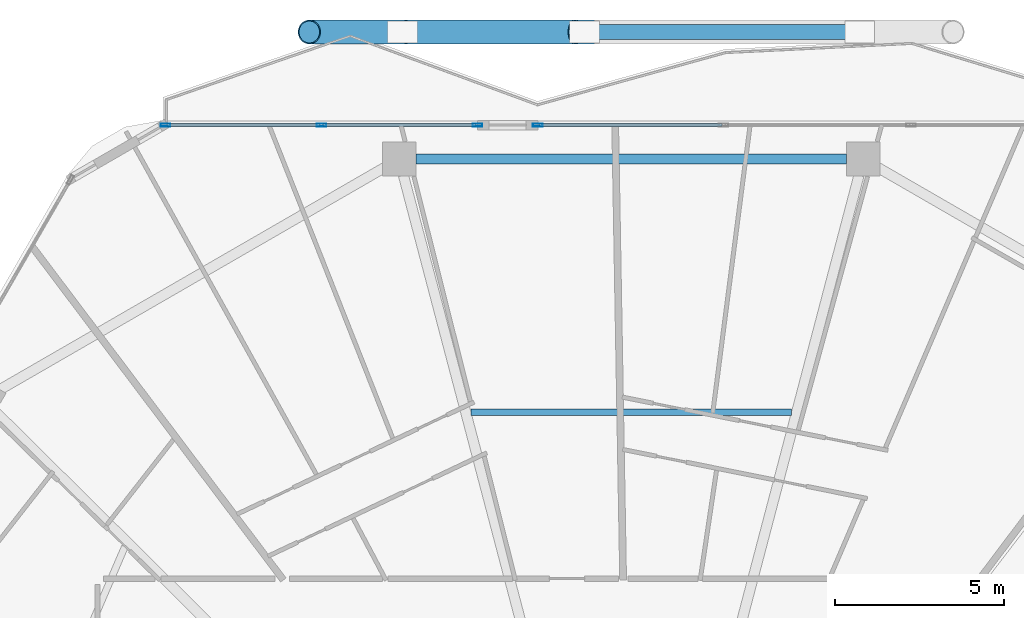
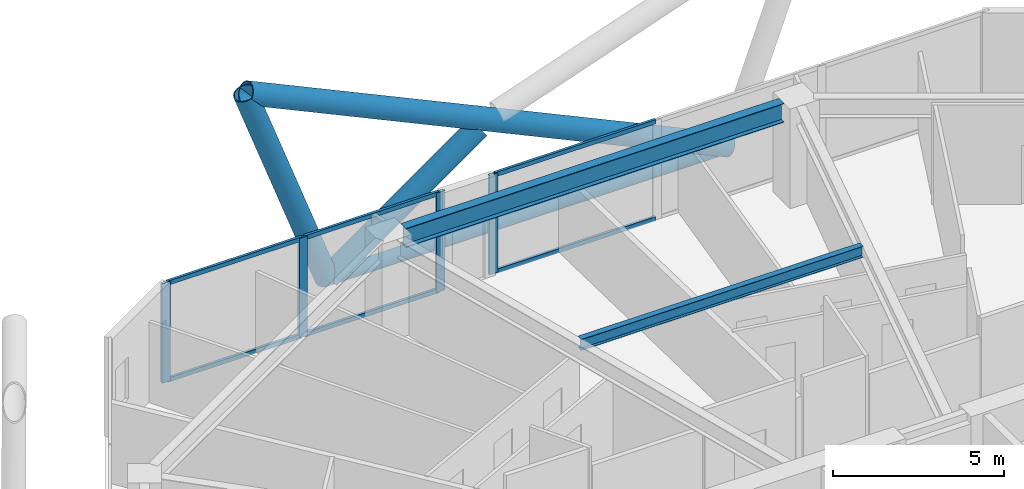
# One storey, part 15 of 29: 14 members, 2 beams, 2 elements without a shape of their own.
"""IFC4 building model written with IfcOpenShell, lengths in metres."""

import ifcopenshell
import ifcopenshell.guid

model = None  # the IFC model being written
_history = None  # IfcOwnerHistory: only IFC2X3 demands one
_inside = {}  # id of a spatial element -> (the spatial element, [elements in it])
_under = {}  # id of a project, library or spatial element -> (it, [spatial elements below it])
_declared = {}  # id of a project -> (the project, [libraries it declares])
_typed = {}  # id of a type object -> (the type object, [elements of that type])
_made_of = {}  # id of a material, layer set ... -> (it, [elements and type objects made of it])


def new_model(schema):
    """Start an empty IFC model of exactly this schema.

    Asked for "IFC4X3", IfcOpenShell would pick the latest addendum, in which some entities
    have other attributes; the version numbers below select the first issue.
    IFC2X3 requires an IfcOwnerHistory on every rooted entity: one is made here for all.
    """
    global model, _history
    if schema == "IFC4X3":
        model = ifcopenshell.file(schema_version=(4, 3, 0, 0))
    else:
        model = ifcopenshell.file(schema=schema)
    _inside.clear()
    _under.clear()
    _declared.clear()
    _typed.clear()
    _made_of.clear()
    _history = None
    if model.schema == "IFC2X3":
        org = make("IfcOrganization", Name="unknown")
        user = make(
            "IfcPersonAndOrganization",
            ThePerson=make("IfcPerson", FamilyName="unknown"),
            TheOrganization=org,
        )
        app = make(
            "IfcApplication",
            ApplicationDeveloper=org,
            Version="unknown",
            ApplicationFullName="unknown",
            ApplicationIdentifier="unknown",
        )
        _history = make(
            "IfcOwnerHistory",
            OwningUser=user,
            OwningApplication=app,
            ChangeAction="ADDED",
            CreationDate=0,
        )
    return model


def make(cls, **values):
    """One entity of the class cls with the attributes given. An attribute that is None is left unset."""
    return model.create_entity(
        cls, **{name: value for name, value in values.items() if value is not None}
    )


def rooted(cls, **values):
    """An entity with a GlobalId (a new one), such as an element, a storey or a relation."""
    return make(cls, GlobalId=ifcopenshell.guid.new(), OwnerHistory=_history, **values)


def si_unit(unit_type, name, prefix=None):
    """IfcSIUnit, for example si_unit("LENGTHUNIT", "METRE", prefix="MILLI")."""
    return make("IfcSIUnit", UnitType=unit_type, Prefix=prefix, Name=name)


def assignment(units):
    """IfcUnitAssignment: the units of a project."""
    return None if units is None else make("IfcUnitAssignment", Units=units)


def point(xyz):
    """IfcCartesianPoint."""
    return None if xyz is None else make("IfcCartesianPoint", Coordinates=xyz)


def direction(xyz):
    """IfcDirection."""
    return None if xyz is None else make("IfcDirection", DirectionRatios=xyz)


def frame(location, z_axis=None, x_axis=None):
    """IfcAxis2Placement3D, a coordinate frame: its origin and axes. An axis left out is left unset."""
    return make(
        "IfcAxis2Placement3D",
        Location=point(location),
        Axis=direction(z_axis),
        RefDirection=direction(x_axis),
    )


def frame_2d(location, x_axis=None):
    """IfcAxis2Placement2D, a coordinate frame in the plane: its origin and x axis."""
    return make(
        "IfcAxis2Placement2D", Location=point(location), RefDirection=direction(x_axis)
    )


def origin():
    """The frame at (0, 0, 0) with its axes left unset."""
    return frame((0.0, 0.0, 0.0))


def origin_2d():
    """The frame at (0, 0) in the plane with its x axis left unset."""
    return frame_2d((0.0, 0.0))


def place(relative_to, where):
    """IfcLocalPlacement: puts the frame where relative to a parent placement (None: the world)."""
    return make(
        "IfcLocalPlacement", PlacementRelTo=relative_to, RelativePlacement=where
    )


def context(
    kind, dimensions, precision=None, world=None, true_north=None, identifier=None
):
    """IfcGeometricRepresentationContext, for example the 3D "Model" context."""
    return make(
        "IfcGeometricRepresentationContext",
        ContextIdentifier=identifier,
        ContextType=kind,
        CoordinateSpaceDimension=dimensions,
        Precision=precision,
        WorldCoordinateSystem=world,
        TrueNorth=true_north,
    )


def subcontext(parent, identifier, kind, view, scale=None):
    """IfcGeometricRepresentationSubContext, for example "Body" below "Model"."""
    return make(
        "IfcGeometricRepresentationSubContext",
        ContextIdentifier=identifier,
        ContextType=kind,
        ParentContext=parent,
        TargetScale=scale,
        TargetView=view,
    )


def project(units=None, contexts=None):
    """IfcProject with its units and contexts."""
    return rooted(
        "IfcProject",
        Name="project",
        RepresentationContexts=contexts,
        UnitsInContext=assignment(units),
    )


def spatial(cls, under=None, at=None, **own):
    """A site, building, storey or space (cls), placed at a placement, below another one or the project."""
    s = rooted(cls, ObjectPlacement=at, **own)
    if under is not None:
        _under.setdefault(under.id(), (under, []))[1].append(s)
    return s


def profile(cls, at=None, kind="AREA", **sizes):
    """A parametric profile (cls). Its sizes go by their IFC names, for example OverallWidth=200.0."""
    return make(cls, ProfileType=kind, Position=at, **sizes)


def hollow_rectangle(**sizes):
    """IfcRectangleHollowProfileDef."""
    return profile("IfcRectangleHollowProfileDef", **sizes)


def hollow_circle(**sizes):
    """IfcCircleHollowProfileDef."""
    return profile("IfcCircleHollowProfileDef", **sizes)


def i_section(**sizes):
    """IfcIShapeProfileDef."""
    return profile("IfcIShapeProfileDef", **sizes)


def extrude(swept, where, along, depth):
    """IfcExtrudedAreaSolid: the profile swept, set in the frame where, extruded along a direction by depth."""
    return make(
        "IfcExtrudedAreaSolid",
        SweptArea=swept,
        Position=where,
        ExtrudedDirection=direction(along),
        Depth=depth,
    )


def shape(context_of_items, identifier, shape_type, items):
    """IfcShapeRepresentation: the items that make up one representation, for example the "Body"."""
    return make(
        "IfcShapeRepresentation",
        ContextOfItems=context_of_items,
        RepresentationIdentifier=identifier,
        RepresentationType=shape_type,
        Items=items,
    )


def material(Name=None, Category=None):
    """IfcMaterial."""
    return make("IfcMaterial", Name=Name, Category=Category)


def material_profile(
    of_material, cross_section, Name=None, Category=None, Priority=None
):
    """IfcMaterialProfile: a cross section and its material."""
    return make(
        "IfcMaterialProfile",
        Name=Name,
        Material=of_material,
        Profile=cross_section,
        Priority=Priority,
        Category=Category,
    )


def profile_set(profiles, Name=None, composite=None):
    """IfcMaterialProfileSet."""
    return make(
        "IfcMaterialProfileSet",
        Name=Name,
        MaterialProfiles=profiles,
        CompositeProfile=composite,
    )


def made_of(thing, what):
    """Note that an element or type object is made of a material, layer set ...; save() writes the relation."""
    if what is not None:
        _made_of.setdefault(what.id(), (what, []))[1].append(thing)
    return thing


def type_object(cls, material=None, **own):
    """A type object (cls), such as IfcWallType, which elements share."""
    return made_of(rooted(cls, **own), material)


def element(
    cls,
    number,
    at=None,
    inside=None,
    cuts=None,
    type_object=None,
    material=None,
    context=None,
    identifier="Body",
    shape_type=None,
    held_by="IfcProductDefinitionShape",
    body=None,
    shapes=None,
    **own,
):
    """One element of the class cls, such as IfcWall. Its Tag is "e" and its number.

    at: its placement. inside: the storey or other place that contains it. cuts: it is an
    opening in that element (IfcRelVoidsElement). A single representation is given by context,
    identifier, shape_type and body (its items); several are given by shapes. held_by: the class
    of the entity that holds the representations. save() writes the other relations.
    """
    e = rooted(cls, Tag="e%d" % number, ObjectPlacement=at, **own)
    if body is not None:
        shapes = [shape(context, identifier, shape_type, body)]
    if shapes is not None:
        e.Representation = make(held_by, Representations=shapes)
    if inside is not None:
        _inside.setdefault(inside.id(), (inside, []))[1].append(e)
    if cuts is not None:
        rooted(
            "IfcRelVoidsElement", RelatingBuildingElement=cuts, RelatedOpeningElement=e
        )
    if type_object is not None:
        _typed.setdefault(type_object.id(), (type_object, []))[1].append(e)
    return made_of(e, material)


def aggregate(whole, parts):
    """IfcRelAggregates: a whole, such as a stair, and the parts it consists of."""
    return rooted("IfcRelAggregates", RelatingObject=whole, RelatedObjects=parts)


def save(model, path):
    """Write the relations noted so far, then the file.

    IfcRelAggregates (storeys below a building ...), IfcRelContainedInSpatialStructure (elements
    in a storey), IfcRelDefinesByType, IfcRelAssociatesMaterial and IfcRelDeclares: one each for
    every whole, place, type object, material and project.
    """
    for whole, parts in _under.values():
        aggregate(whole, parts)
    for where, things in _inside.values():
        rooted(
            "IfcRelContainedInSpatialStructure",
            RelatedElements=things,
            RelatingStructure=where,
        )
    for kind, things in _typed.values():
        rooted("IfcRelDefinesByType", RelatedObjects=things, RelatingType=kind)
    for what, things in _made_of.values():
        rooted("IfcRelAssociatesMaterial", RelatedObjects=things, RelatingMaterial=what)
    for by, libraries in _declared.values():
        rooted("IfcRelDeclares", RelatingContext=by, RelatedDefinitions=libraries)
    model.write(path)


model = new_model("IFC4")

# Units and contexts
model_context = context("Model", 3, precision=1e-05, world=origin(), true_north=direction((0.0, 1.0)))
body_context = subcontext(model_context, "Body", "Model", "MODEL_VIEW")
ifc_project = project(units=[si_unit("LENGTHUNIT", "METRE"), si_unit("AREAUNIT", "SQUARE_METRE"), si_unit("VOLUMEUNIT", "CUBIC_METRE"), si_unit("PLANEANGLEUNIT", "RADIAN"), si_unit("MASSUNIT", "GRAM", prefix="KILO")], contexts=[model_context])

# Site, building, storey
site_placement = place(None, origin())
site = spatial("IfcSite", under=ifc_project, at=site_placement, CompositionType="ELEMENT")
building_placement = place(site_placement, origin())
building = spatial("IfcBuilding", under=site, at=building_placement, Name="Zuhravey Tower", CompositionType="ELEMENT")
storey_placement = place(building_placement, frame((0.0, 0.0, 184.60009765625)))
storey = spatial("IfcBuildingStorey", under=building, at=storey_placement, Name="L46", CompositionType="ELEMENT", Elevation=184.60009765625)

# Curtain wall, members
ifc_material_1 = material(Name="Thermally broken anodised aluminium", Category="aluminium")
curtain_wall_type = type_object("IfcCurtainWallType", Name="Zone 1-2 Residential Curtain Wall CW3", PredefinedType="NOTDEFINED", material=ifc_material_1)
curtain_wall_1_placement = place(storey_placement, origin())
curtain_wall_1 = element("IfcCurtainWall", 1, at=curtain_wall_1_placement, inside=storey, type_object=curtain_wall_type, Name="L46 CW3 CW-L46-F2-1", PredefinedType="NOTDEFINED")
ifc_material_2 = material(Name="Anodised aluminium", Category="aluminium")
ifc_material_profile_1 = material_profile(ifc_material_2, hollow_rectangle(XDim=0.090087890625, YDim=0.284912109375, WallThickness=0.0048828125, at=origin_2d()), Name="ALU-RHS-90x285x5")
ifc_profile_set_1 = profile_set([ifc_material_profile_1], Name="Anodised aluminium")
member_type_1 = type_object("IfcMemberType", Name="Curtain-Wall Mullion 90x180", PredefinedType="MULLION", material=ifc_profile_set_1)
member_1_placement = place(storey_placement, frame((22.183837890625, 59.18310546875, 0.0), z_axis=(0.0, 0.0, 1.0), x_axis=(0.0, 1.0, 0.0)))
member_1 = element("IfcMember", 2, at=member_1_placement, type_object=member_type_1, Name="CW3 mullion 1", PredefinedType="MULLION", context=body_context, shape_type="SweptSolid", body=[
    extrude(hollow_rectangle(XDim=0.090087890625, YDim=0.284912109375, WallThickness=0.0048828125, at=origin_2d()), origin(), (0.0, 0.0, 1.0), 3.5498046875),
])
member_2_placement = place(storey_placement, frame((26.811767578125, 59.18310546875, 0.0), z_axis=(0.0, 0.0, 1.0), x_axis=(0.0, 1.0, 0.0)))
member_2 = element("IfcMember", 3, at=member_2_placement, type_object=member_type_1, Name="CW3 mullion 2", PredefinedType="MULLION", context=body_context, shape_type="SweptSolid", body=[
    extrude(hollow_rectangle(XDim=0.090087890625, YDim=0.284912109375, WallThickness=0.0048828125, at=origin_2d()), origin(), (0.0, 0.0, 1.0), 3.5498046875),
])
member_3_placement = place(storey_placement, frame((31.439697265625, 59.18310546875, 0.0), z_axis=(0.0, 0.0, 1.0), x_axis=(0.0, 1.0, 0.0)))
member_3 = element("IfcMember", 4, at=member_3_placement, type_object=member_type_1, Name="CW3 mullion 3", PredefinedType="MULLION", context=body_context, shape_type="SweptSolid", body=[
    extrude(hollow_rectangle(XDim=0.090087890625, YDim=0.284912109375, WallThickness=0.0048828125, at=origin_2d()), origin(), (0.0, 0.0, 1.0), 3.5498046875),
])

# Curtain wall, member
curtain_wall_2_placement = place(storey_placement, origin())
curtain_wall_2 = element("IfcCurtainWall", 5, at=curtain_wall_2_placement, inside=storey, type_object=curtain_wall_type, Name="L46 CW3 CW-L46-F2-2", PredefinedType="NOTDEFINED")
member_4_placement = place(storey_placement, frame((33.229736328125, 59.18310546875, 0.0), z_axis=(0.0, 0.0, 1.0), x_axis=(0.0, 1.0, 0.0)))
member_4 = element("IfcMember", 6, at=member_4_placement, type_object=member_type_1, Name="CW3 mullion 1", PredefinedType="MULLION", context=body_context, shape_type="SweptSolid", body=[
    extrude(hollow_rectangle(XDim=0.090087890625, YDim=0.284912109375, WallThickness=0.0048828125, at=origin_2d()), origin(), (0.0, 0.0, 1.0), 3.5498046875),
])

# Member
ifc_material_profile_2 = material_profile(ifc_material_2, hollow_rectangle(XDim=0.090087890625, YDim=0.14990234375, WallThickness=0.0048828125, at=origin_2d()), Name="ALU-RHS-90x150x5")
ifc_profile_set_2 = profile_set([ifc_material_profile_2], Name="Anodised aluminium")
member_type_2 = type_object("IfcMemberType", Name="Curtain-Wall Transom 90x150", PredefinedType="USERDEFINED", material=ifc_profile_set_2)
member_5_placement = place(storey_placement, frame((22.22900390625, 59.18310546875, 0.044921875), z_axis=(1.0, 0.0, 0.0), x_axis=(0.0, 1.0, 0.0)))
member_5 = element("IfcMember", 7, at=member_5_placement, type_object=member_type_2, Name="CW3 transom 1.1", ObjectType="TRANSOM", PredefinedType="USERDEFINED", context=body_context, shape_type="SweptSolid", body=[
    extrude(hollow_rectangle(XDim=0.090087890625, YDim=0.14990234375, WallThickness=0.0048828125, at=origin_2d()), origin(), (0.0, 0.0, 1.0), 4.537841796875),
])

member_6_placement = place(storey_placement, frame((22.22900390625, 59.18310546875, 3.5048828125), z_axis=(1.0, 0.0, 0.0), x_axis=(0.0, 1.0, 0.0)))
member_6 = element("IfcMember", 8, at=member_6_placement, type_object=member_type_2, Name="CW3 transom 1.2", ObjectType="TRANSOM", PredefinedType="USERDEFINED", context=body_context, shape_type="SweptSolid", body=[
    extrude(hollow_rectangle(XDim=0.090087890625, YDim=0.14990234375, WallThickness=0.0048828125, at=origin_2d()), origin(), (0.0, 0.0, 1.0), 4.537841796875),
])

member_7_placement = place(storey_placement, frame((26.856689453125, 59.18310546875, 0.044921875), z_axis=(1.0, 0.0, 0.0), x_axis=(0.0, 1.0, 0.0)))
member_7 = element("IfcMember", 9, at=member_7_placement, type_object=member_type_2, Name="CW3 transom 2.1", ObjectType="TRANSOM", PredefinedType="USERDEFINED", context=body_context, shape_type="SweptSolid", body=[
    extrude(hollow_rectangle(XDim=0.090087890625, YDim=0.14990234375, WallThickness=0.0048828125, at=origin_2d()), origin(), (0.0, 0.0, 1.0), 4.5380859375),
])

member_8_placement = place(storey_placement, frame((26.856689453125, 59.18310546875, 3.5048828125), z_axis=(1.0, 0.0, 0.0), x_axis=(0.0, 1.0, 0.0)))
member_8 = element("IfcMember", 10, at=member_8_placement, type_object=member_type_2, Name="CW3 transom 2.2", ObjectType="TRANSOM", PredefinedType="USERDEFINED", context=body_context, shape_type="SweptSolid", body=[
    extrude(hollow_rectangle(XDim=0.090087890625, YDim=0.14990234375, WallThickness=0.0048828125, at=origin_2d()), origin(), (0.0, 0.0, 1.0), 4.5380859375),
])

aggregate(curtain_wall_1, [member_1, member_2, member_3, member_5, member_6, member_7, member_8])

member_9_placement = place(storey_placement, frame((33.274658203125, 59.18310546875, 0.044921875), z_axis=(1.0, 0.0, 0.0), x_axis=(0.0, 1.0, 0.0)))
member_9 = element("IfcMember", 11, at=member_9_placement, type_object=member_type_2, Name="CW3 transom 1.1", ObjectType="TRANSOM", PredefinedType="USERDEFINED", context=body_context, shape_type="SweptSolid", body=[
    extrude(hollow_rectangle(XDim=0.090087890625, YDim=0.14990234375, WallThickness=0.0048828125, at=origin_2d()), origin(), (0.0, 0.0, 1.0), 5.423828125),
])

member_10_placement = place(storey_placement, frame((33.274658203125, 59.18310546875, 3.5048828125), z_axis=(1.0, 0.0, 0.0), x_axis=(0.0, 1.0, 0.0)))
member_10 = element("IfcMember", 12, at=member_10_placement, type_object=member_type_2, Name="CW3 transom 1.2", ObjectType="TRANSOM", PredefinedType="USERDEFINED", context=body_context, shape_type="SweptSolid", body=[
    extrude(hollow_rectangle(XDim=0.090087890625, YDim=0.14990234375, WallThickness=0.0048828125, at=origin_2d()), origin(), (0.0, 0.0, 1.0), 5.423828125),
])

aggregate(curtain_wall_2, [member_4, member_9, member_10])

# Members
ifc_material_3 = material(Name="Steel SM355", Category="steel")
ifc_material_profile_3 = material_profile(ifc_material_3, hollow_circle(Radius=0.228515625, WallThickness=0.02197265625, at=origin_2d()), Name="CHS-457.2x22")
ifc_profile_set_3 = profile_set([ifc_material_profile_3], Name="Steel SM355")
member_type_3 = type_object("IfcMemberType", Name="Exoskeleton Ring Tie CHS457x22", PredefinedType="CHORD", material=ifc_profile_set_3)
member_11_placement = place(storey_placement, frame((42.64111328125, 61.943115234375, -0.464111328125), z_axis=(-1.0, 0.0, 0.0), x_axis=(0.0, -1.0, 0.0)))
element("IfcMember", 13, at=member_11_placement, inside=storey, type_object=member_type_3, Name="L46 Exoskeleton Face 2 Tie EXR1", PredefinedType="CHORD", context=body_context, shape_type="SweptSolid", body=[
    extrude(hollow_circle(Radius=0.228515625, WallThickness=0.02197265625, at=origin_2d()), origin(), (0.0, 0.0, 1.0), 13.2822265625),
])
ifc_material_4 = material(Name="Steel SM460", Category="steel")
ifc_material_profile_4 = material_profile(ifc_material_4, hollow_circle(Radius=0.355712890625, WallThickness=0.031982421875, at=origin_2d()), Name="CHS-711.2x32")
ifc_profile_set_4 = profile_set([ifc_material_profile_4], Name="Steel SM460")
member_type_4 = type_object("IfcMemberType", Name="Exoskeleton Zone 2 Diagrid CHS711x32", PredefinedType="BRACE", material=ifc_profile_set_4)
member_12_placement = place(storey_placement, frame((42.738037109375, 61.943115234375, -0.444091796875), z_axis=(-0.906680162882, 0.0, 0.421818778903), x_axis=(0.0, -1.0, 0.0)))
element("IfcMember", 14, at=member_12_placement, inside=storey, type_object=member_type_4, Name="L46 Face 2 Diagrid Brace 2", PredefinedType="BRACE", context=body_context, shape_type="SweptSolid", body=[
    extrude(hollow_circle(Radius=0.355712890625, WallThickness=0.031982421875, at=origin_2d()), origin(), (0.0, 0.0, 1.0), 17.922607421875),
])
member_13_placement = place(storey_placement, frame((29.211669921875, 61.943115234375, -0.444091796875), z_axis=(-0.342858392965, 0.0, 0.939387099323), x_axis=(0.0, -1.0, 0.0)))
element("IfcMember", 15, at=member_13_placement, inside=storey, type_object=member_type_4, Name="L46 Face 2 Diagrid Brace 4", PredefinedType="BRACE", context=body_context, shape_type="SweptSolid", body=[
    extrude(hollow_circle(Radius=0.355712890625, WallThickness=0.031982421875, at=origin_2d()), origin(), (0.0, 0.0, 1.0), 8.0478515625),
])
member_14_placement = place(storey_placement, frame((29.2578125, 61.943115234375, -0.436767578125), z_axis=(0.817501799386, 0.0, 0.575926043864), x_axis=(0.0, 1.0, 0.0)))
element("IfcMember", 16, at=member_14_placement, inside=storey, type_object=member_type_4, Name="L46 Face 2 Split Diagrid Brace 3A", PredefinedType="BRACE", context=body_context, shape_type="SweptSolid", body=[
    extrude(hollow_circle(Radius=0.355712890625, WallThickness=0.031982421875, at=origin_2d()), origin(), (0.0, 0.0, 1.0), 6.205078125),
])

# Beams
ifc_material_profile_5 = material_profile(ifc_material_3, i_section(OverallWidth=0.300048828125, OverallDepth=0.679931640625, WebThickness=0.012939453125, FlangeThickness=0.02197265625, at=origin_2d()), Name="H-680x300x13x22")
ifc_profile_set_5 = profile_set([ifc_material_profile_5], Name="Steel SM355")
beam_type_1 = type_object("IfcBeamType", Name="Perimeter Ring Beam H680x300", PredefinedType="BEAM", material=ifc_profile_set_5)
beam_1_placement = place(storey_placement, frame((42.37890625, 58.173095703125, 3.2099609375), z_axis=(-1.0, 0.0, 0.0), x_axis=(0.0, -1.0, 0.0)))
element("IfcBeam", 17, at=beam_1_placement, inside=storey, type_object=beam_type_1, Name="L46 PB2 BM-L46-PB-03", PredefinedType="BEAM", context=body_context, shape_type="SweptSolid", body=[
    extrude(i_section(OverallWidth=0.300048828125, OverallDepth=0.679931640625, WebThickness=0.012939453125, FlangeThickness=0.02197265625, at=origin_2d()), origin(), (0.0, 0.0, 1.0), 12.7578125),
])
ifc_material_profile_6 = material_profile(ifc_material_3, i_section(OverallWidth=0.199951171875, OverallDepth=0.39990234375, WebThickness=0.008056640625, FlangeThickness=0.012939453125, at=origin_2d()), Name="H-400x200x8x13")
ifc_profile_set_6 = profile_set([ifc_material_profile_6], Name="Steel SM355")
beam_type_2 = type_object("IfcBeamType", Name="Secondary Floor Joist H400x200", PredefinedType="JOIST", material=ifc_profile_set_6)
beam_2_placement = place(storey_placement, frame((40.754150390625, 50.665771484375, 3.349853515625), z_axis=(-1.0, 0.0, 0.0), x_axis=(0.0, -1.0, 0.0)))
element("IfcBeam", 18, at=beam_2_placement, inside=storey, type_object=beam_type_2, Name="L46 SJ2 BM-L46-SJ-03-1", PredefinedType="JOIST", context=body_context, shape_type="SweptSolid", body=[
    extrude(i_section(OverallWidth=0.199951171875, OverallDepth=0.39990234375, WebThickness=0.008056640625, FlangeThickness=0.012939453125, at=origin_2d()), origin(), (0.0, 0.0, 1.0), 9.50830078125),
])

save(model, "model.ifc")
